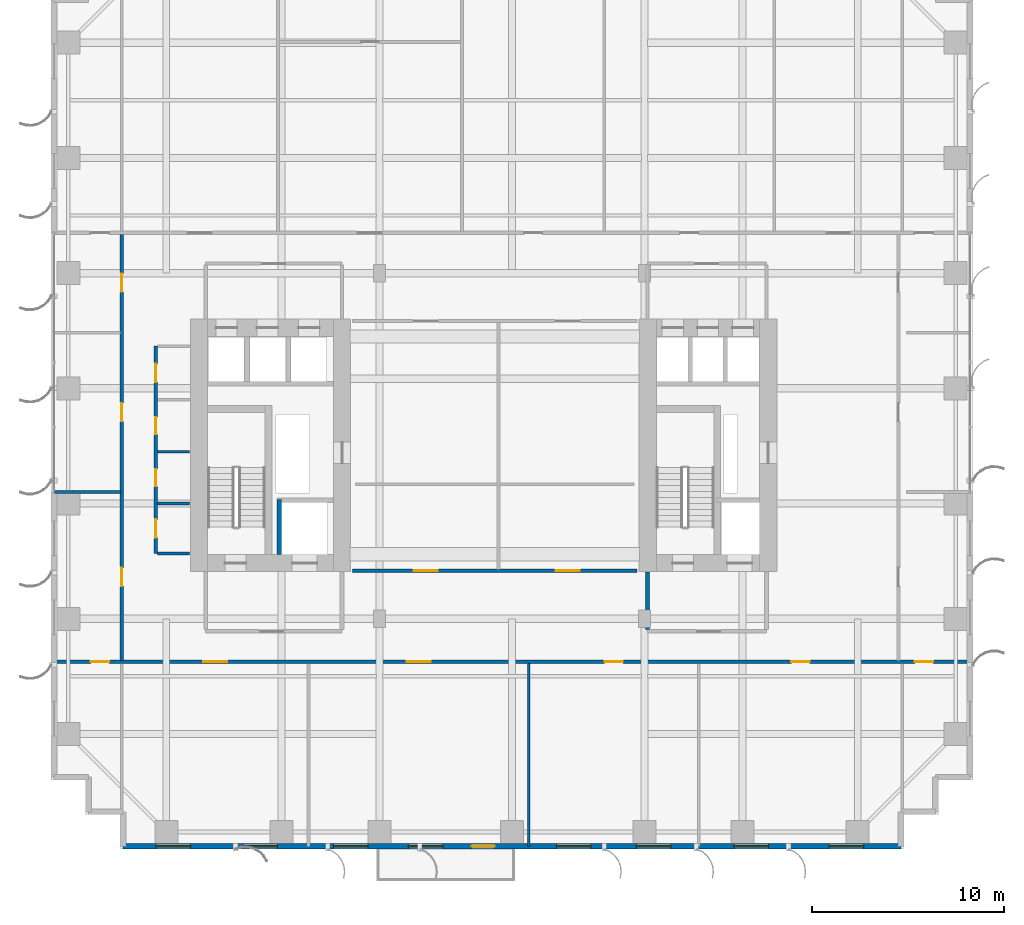
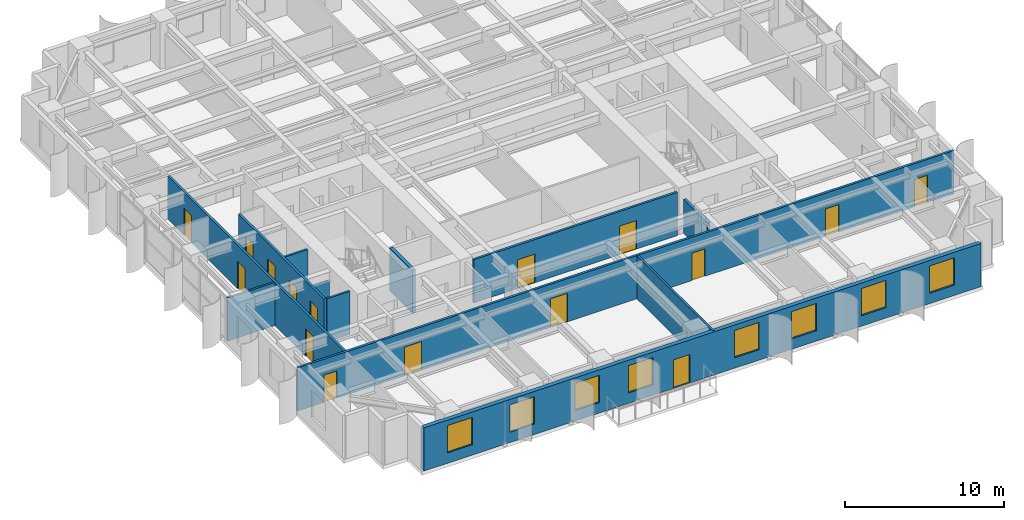
# One storey, part 9 of 16: 16 doors, 12 walls, 8 windows, 24 openings.
"""IFC4 building model written with IfcOpenShell, lengths in metres."""

from ifc_helpers import new_model, si_unit, direction, frame, frame_2d, origin, place, context, subcontext, project, spatial, rectangle, extrude, source, transform, mapped, material, layer, layer_set, type_object, element, fill, save


model = new_model("IFC4")

# Units and contexts
model_context = context("Model", 3, precision=1e-05, world=origin(), true_north=direction((0.0, 1.0)))
body_context = subcontext(model_context, "Body", "Model", "MODEL_VIEW")
ifc_project = project(units=[si_unit("LENGTHUNIT", "METRE"), si_unit("AREAUNIT", "SQUARE_METRE"), si_unit("VOLUMEUNIT", "CUBIC_METRE"), si_unit("PLANEANGLEUNIT", "RADIAN"), si_unit("MASSUNIT", "GRAM", prefix="KILO")], contexts=[model_context])

# Site, building, storey
site_placement = place(None, origin())
site = spatial("IfcSite", under=ifc_project, at=site_placement, CompositionType="ELEMENT")
building_placement = place(site_placement, origin())
building = spatial("IfcBuilding", under=site, at=building_placement, Name="Khoralis Quay Care Tower", CompositionType="ELEMENT")
storey_placement = place(building_placement, frame((0.0, 0.0, 29.699951171875)))
storey = spatial("IfcBuildingStorey", under=building, at=storey_placement, Name="L07", CompositionType="ELEMENT", Elevation=29.699951171875)

# Wall
ifc_material_1 = material(Name="Gypsum plasterboard on acoustic metal stud")
ifc_layer_1 = layer(ifc_material_1, 0.199951171875)
ifc_layer_set_1 = layer_set([ifc_layer_1], Name="Gypsum plasterboard on acoustic metal stud")
wall_type_1 = type_object("IfcWallType", Name="WL-COMP-200", PredefinedType="PARTITIONING", material=ifc_layer_set_1)
wall_1_placement = place(storey_placement, frame((31.050048828125, 11.445068359375, 0.0), z_axis=(0.0, 0.0, 1.0), x_axis=(0.0, 1.0, 0.0)))
element("IfcWall", 1, at=wall_1_placement, inside=storey, type_object=wall_type_1, Name="L07 East Firefighting Lobby West Wall", PredefinedType="PARTITIONING", context=body_context, shape_type="SweptSolid", body=[
    extrude(rectangle(XDim=2.98486328125, YDim=0.199951171875, at=frame_2d((1.492431640625, 0.0))), origin(), (0.0, 0.0, 1.0), 2.625),
])

# Wall, openings, doors
ifc_layer_2 = layer(ifc_material_1, 0.1650390625)
ifc_layer_set_2 = layer_set([ifc_layer_2], Name="Gypsum plasterboard on acoustic metal stud")
wall_type_2 = type_object("IfcWallType", Name="WL-CORR-165", PredefinedType="PARTITIONING", material=ifc_layer_set_2)
wall_2_placement = place(storey_placement, frame((5.449951171875, 15.39990234375, 0.0), z_axis=(0.0, 0.0, 1.0), x_axis=(0.0, 1.0, 0.0)))
wall_2 = element("IfcWall", 2, at=wall_2_placement, inside=storey, type_object=wall_type_2, Name="L07 West Core Service Flank Wall", PredefinedType="PARTITIONING", context=body_context, shape_type="SweptSolid", body=[
    extrude(rectangle(XDim=10.800048828125, YDim=0.1650390625, at=frame_2d((5.39990234375, 0.0))), origin(), (0.0, 0.0, 1.0), 3.320068359375),
])
opening_1_placement = place(wall_2_placement, frame((0.824951171875, 0.0, 0.0)))
opening_1 = element("IfcOpeningElement", 3, at=opening_1_placement, cuts=wall_2, Name="Opening ID1", PredefinedType="OPENING", context=body_context, shape_type="SweptSolid", body=[
    extrude(rectangle(XDim=0.949951171875, YDim=2.10009765625, at=frame_2d((0.47509765625, 1.050048828125))), frame((0.0, 0.092529296875, 0.0), z_axis=(0.0, -1.0, 0.0), x_axis=(1.0, 0.0, 0.0)), (0.0, 0.0, 1.0), 0.18505859375),
])
opening_2_placement = place(wall_2_placement, frame((3.5, 0.0, 0.0)))
opening_2 = element("IfcOpeningElement", 4, at=opening_2_placement, cuts=wall_2, Name="Opening WD1", PredefinedType="OPENING", context=body_context, shape_type="SweptSolid", body=[
    extrude(rectangle(XDim=0.89990234375, YDim=2.10009765625, at=frame_2d((0.449951171875, 1.050048828125))), frame((0.0, 0.092529296875, 0.0), z_axis=(0.0, -1.0, 0.0), x_axis=(1.0, 0.0, 0.0)), (0.0, 0.0, 1.0), 0.18505859375),
])
opening_3_placement = place(wall_2_placement, frame((6.199951171875, 0.0, 0.0)))
opening_3 = element("IfcOpeningElement", 5, at=opening_3_placement, cuts=wall_2, Name="Opening WD1", PredefinedType="OPENING", context=body_context, shape_type="SweptSolid", body=[
    extrude(rectangle(XDim=0.89990234375, YDim=2.10009765625, at=frame_2d((0.449951171875, 1.050048828125))), frame((0.0, 0.092529296875, 0.0), z_axis=(0.0, -1.0, 0.0), x_axis=(1.0, 0.0, 0.0)), (0.0, 0.0, 1.0), 0.18505859375),
])
opening_4_placement = place(wall_2_placement, frame((8.925048828125, 0.0, 0.0)))
opening_4 = element("IfcOpeningElement", 6, at=opening_4_placement, cuts=wall_2, Name="Opening ID1", PredefinedType="OPENING", context=body_context, shape_type="SweptSolid", body=[
    extrude(rectangle(XDim=0.949951171875, YDim=2.10009765625, at=frame_2d((0.47509765625, 1.050048828125))), frame((0.0, 0.092529296875, 0.0), z_axis=(0.0, -1.0, 0.0), x_axis=(1.0, 0.0, 0.0)), (0.0, 0.0, 1.0), 0.18505859375),
])
ifc_material_2 = material(Name="Acoustic hardwood timber", Category="wood")
door_type_1 = type_object("IfcDoorType", Name="DR-BATH-900X2100", OperationType="NOTDEFINED", PredefinedType="DOOR", material=ifc_material_2)
shared_shape_1 = source(origin(), body_context, "Body", "SweptSolid", [
    extrude(rectangle(XDim=0.89990234375, YDim=2.10009765625, at=frame_2d((0.449951171875, 1.050048828125))), frame((0.0, 0.02490234375, 0.0), z_axis=(0.0, -1.0, 0.0), x_axis=(1.0, 0.0, 0.0)), (0.0, 0.0, 1.0), 0.050048828125),
])
door_1_placement = place(opening_2_placement, frame((0.89990234375, 0.0, 0.0), z_axis=(0.0, 0.0, 1.0), x_axis=(-1.0, 0.0, 0.0)))
door_1 = element("IfcDoor", 7, at=door_1_placement, inside=storey, type_object=door_type_1, Name="L07 Public Accessible WC Door", OperationType="SINGLE_SWING_LEFT", OverallHeight=2.10009765625, OverallWidth=0.89990234375, PredefinedType="DOOR", context=body_context, shape_type="MappedRepresentation", body=[
    mapped(shared_shape_1, transform((0.0, 0.0, 0.0), scale=1.0)),
])
fill(opening_2, door_1)
door_2_placement = place(opening_3_placement, frame((0.89990234375, 0.0, 0.0), z_axis=(0.0, 0.0, 1.0), x_axis=(-1.0, 0.0, 0.0)))
door_2 = element("IfcDoor", 8, at=door_2_placement, inside=storey, type_object=door_type_1, Name="L07 Staff Accessible WC Door", OperationType="SINGLE_SWING_RIGHT", OverallHeight=2.10009765625, OverallWidth=0.89990234375, PredefinedType="DOOR", context=body_context, shape_type="MappedRepresentation", body=[
    mapped(shared_shape_1, transform((0.0, 0.0, 0.0), scale=1.0)),
])
fill(opening_3, door_2)
door_type_2 = type_object("IfcDoorType", Name="DR-ROOM-950X2100", OperationType="NOTDEFINED", PredefinedType="DOOR", material=ifc_material_2)
shared_shape_2 = source(origin(), body_context, "Body", "SweptSolid", [
    extrude(rectangle(XDim=0.949951171875, YDim=2.10009765625, at=frame_2d((0.47509765625, 1.050048828125))), frame((0.0, 0.02490234375, 0.0), z_axis=(0.0, -1.0, 0.0), x_axis=(1.0, 0.0, 0.0)), (0.0, 0.0, 1.0), 0.050048828125),
])
door_3_placement = place(opening_1_placement, frame((0.949951171875, 0.0, 0.0), z_axis=(0.0, 0.0, 1.0), x_axis=(-1.0, 0.0, 0.0)))
door_3 = element("IfcDoor", 9, at=door_3_placement, inside=storey, type_object=door_type_2, Name="L07 Housekeeping Store Door", OperationType="SINGLE_SWING_RIGHT", OverallHeight=2.10009765625, OverallWidth=0.949951171875, PredefinedType="DOOR", context=body_context, shape_type="MappedRepresentation", body=[
    mapped(shared_shape_2, transform((0.0, 0.0, 0.0), scale=1.0)),
])
fill(opening_1, door_3)
door_4_placement = place(opening_4_placement, frame((0.949951171875, 0.0, 0.0), z_axis=(0.0, 0.0, 1.0), x_axis=(-1.0, 0.0, 0.0)))
door_4 = element("IfcDoor", 10, at=door_4_placement, inside=storey, type_object=door_type_2, Name="L07 Telecom IDF Room Door", OperationType="SINGLE_SWING_LEFT", OverallHeight=2.10009765625, OverallWidth=0.949951171875, PredefinedType="DOOR", context=body_context, shape_type="MappedRepresentation", body=[
    mapped(shared_shape_2, transform((0.0, 0.0, 0.0), scale=1.0)),
])
fill(opening_4, door_4)

wall_3_placement = place(storey_placement, frame((0.14501953125, 9.760009765625, 0.0), z_axis=(0.0, 0.0, 1.0), x_axis=(1.0, 0.0, 0.0)))
wall_3 = element("IfcWall", 11, at=wall_3_placement, inside=storey, type_object=wall_type_2, Name="L07 South Main Corridor Wall", PredefinedType="PARTITIONING", context=body_context, shape_type="SweptSolid", body=[
    extrude(rectangle(XDim=47.7099609375, YDim=0.1650390625, at=frame_2d((23.85498046875, 0.0))), origin(), (0.0, 0.0, 1.0), 3.320068359375),
])
opening_5_placement = place(wall_3_placement, frame((7.77001953125, 0.0, 0.0)))
opening_5 = element("IfcOpeningElement", 12, at=opening_5_placement, cuts=wall_3, Name="Opening CD1", PredefinedType="OPENING", context=body_context, shape_type="SweptSolid", body=[
    extrude(rectangle(XDim=1.25, YDim=2.199951171875, at=frame_2d((0.625, 1.10009765625))), frame((0.0, 0.092529296875, 0.0), z_axis=(0.0, -1.0, 0.0), x_axis=(1.0, 0.0, 0.0)), (0.0, 0.0, 1.0), 0.18505859375),
])
opening_6_placement = place(wall_3_placement, frame((18.3701171875, 0.0, 0.0)))
opening_6 = element("IfcOpeningElement", 13, at=opening_6_placement, cuts=wall_3, Name="Opening CD1", PredefinedType="OPENING", context=body_context, shape_type="SweptSolid", body=[
    extrude(rectangle(XDim=1.25, YDim=2.199951171875, at=frame_2d((0.625, 1.10009765625))), frame((0.0, 0.092529296875, 0.0), z_axis=(0.0, -1.0, 0.0), x_axis=(1.0, 0.0, 0.0)), (0.0, 0.0, 1.0), 0.18505859375),
])
opening_7_placement = place(wall_3_placement, frame((28.679931640625, 0.0, 0.0)))
opening_7 = element("IfcOpeningElement", 14, at=opening_7_placement, cuts=wall_3, Name="Opening ID1", PredefinedType="OPENING", context=body_context, shape_type="SweptSolid", body=[
    extrude(rectangle(XDim=0.949951171875, YDim=2.10009765625, at=frame_2d((0.47509765625, 1.050048828125))), frame((0.0, 0.092529296875, 0.0), z_axis=(0.0, -1.0, 0.0), x_axis=(1.0, 0.0, 0.0)), (0.0, 0.0, 1.0), 0.18505859375),
])
opening_8_placement = place(wall_3_placement, frame((38.39990234375, 0.0, 0.0)))
opening_8 = element("IfcOpeningElement", 15, at=opening_8_placement, cuts=wall_3, Name="Opening ID1", PredefinedType="OPENING", context=body_context, shape_type="SweptSolid", body=[
    extrude(rectangle(XDim=0.949951171875, YDim=2.10009765625, at=frame_2d((0.47509765625, 1.050048828125))), frame((0.0, 0.092529296875, 0.0), z_axis=(0.0, -1.0, 0.0), x_axis=(1.0, 0.0, 0.0)), (0.0, 0.0, 1.0), 0.18505859375),
])
opening_9_placement = place(wall_3_placement, frame((1.919921875, 0.0, 0.0)))
opening_9 = element("IfcOpeningElement", 16, at=opening_9_placement, cuts=wall_3, Name="Opening ID1", PredefinedType="OPENING", context=body_context, shape_type="SweptSolid", body=[
    extrude(rectangle(XDim=0.949951171875, YDim=2.10009765625, at=frame_2d((0.47509765625, 1.050048828125))), frame((0.0, 0.092529296875, 0.0), z_axis=(0.0, -1.0, 0.0), x_axis=(1.0, 0.0, 0.0)), (0.0, 0.0, 1.0), 0.18505859375),
])
opening_10_placement = place(wall_3_placement, frame((44.840087890625, 0.0, 0.0)))
opening_10 = element("IfcOpeningElement", 17, at=opening_10_placement, cuts=wall_3, Name="Opening ID1", PredefinedType="OPENING", context=body_context, shape_type="SweptSolid", body=[
    extrude(rectangle(XDim=0.949951171875, YDim=2.10009765625, at=frame_2d((0.47509765625, 1.050048828125))), frame((0.0, 0.092529296875, 0.0), z_axis=(0.0, -1.0, 0.0), x_axis=(1.0, 0.0, 0.0)), (0.0, 0.0, 1.0), 0.18505859375),
])
door_type_3 = type_object("IfcDoorType", Name="DR-CARE-1250X2200", OperationType="NOTDEFINED", PredefinedType="DOOR", material=ifc_material_2)
shared_shape_3 = source(origin(), body_context, "Body", "SweptSolid", [
    extrude(rectangle(XDim=1.25, YDim=2.199951171875, at=frame_2d((0.625, 1.10009765625))), frame((0.0, 0.02490234375, 0.0), z_axis=(0.0, -1.0, 0.0), x_axis=(1.0, 0.0, 0.0)), (0.0, 0.0, 1.0), 0.050048828125),
])
door_5_placement = place(opening_5_placement, frame((1.25, 0.0, 0.0), z_axis=(0.0, 0.0, 1.0), x_axis=(-1.0, 0.0, 0.0)))
door_5 = element("IfcDoor", 18, at=door_5_placement, inside=storey, type_object=door_type_3, Name="L07 Geriatric Consultation Clinic Door", OperationType="SINGLE_SWING_LEFT", OverallHeight=2.199951171875, OverallWidth=1.25, PredefinedType="DOOR", context=body_context, shape_type="MappedRepresentation", body=[
    mapped(shared_shape_3, transform((0.0, 0.0, 0.0), scale=1.0)),
])
fill(opening_5, door_5)
door_6_placement = place(opening_6_placement, frame((1.25, 0.0, 0.0), z_axis=(0.0, 0.0, 1.0), x_axis=(-1.0, 0.0, 0.0)))
door_6 = element("IfcDoor", 19, at=door_6_placement, inside=storey, type_object=door_type_3, Name="L07 Physiotherapy Treatment Clinic Door", OperationType="SINGLE_SWING_RIGHT", OverallHeight=2.199951171875, OverallWidth=1.25, PredefinedType="DOOR", context=body_context, shape_type="MappedRepresentation", body=[
    mapped(shared_shape_3, transform((0.0, 0.0, 0.0), scale=1.0)),
])
fill(opening_6, door_6)
door_7_placement = place(opening_7_placement, frame((0.949951171875, 0.0, 0.0), z_axis=(0.0, 0.0, 1.0), x_axis=(-1.0, 0.0, 0.0)))
door_7 = element("IfcDoor", 20, at=door_7_placement, inside=storey, type_object=door_type_2, Name="L07 Care Coordination Office Door", OperationType="SINGLE_SWING_RIGHT", OverallHeight=2.10009765625, OverallWidth=0.949951171875, PredefinedType="DOOR", context=body_context, shape_type="MappedRepresentation", body=[
    mapped(shared_shape_2, transform((0.0, 0.0, 0.0), scale=1.0)),
])
fill(opening_7, door_7)
door_8_placement = place(opening_8_placement, frame((0.949951171875, 0.0, 0.0), z_axis=(0.0, 0.0, 1.0), x_axis=(-1.0, 0.0, 0.0)))
door_8 = element("IfcDoor", 21, at=door_8_placement, inside=storey, type_object=door_type_2, Name="L07 Family Case Conference Room Door", OperationType="SINGLE_SWING_LEFT", OverallHeight=2.10009765625, OverallWidth=0.949951171875, PredefinedType="DOOR", context=body_context, shape_type="MappedRepresentation", body=[
    mapped(shared_shape_2, transform((0.0, 0.0, 0.0), scale=1.0)),
])
fill(opening_8, door_8)
door_9_placement = place(opening_9_placement, frame((0.949951171875, 0.0, 0.0), z_axis=(0.0, 0.0, 1.0), x_axis=(-1.0, 0.0, 0.0)))
door_9 = element("IfcDoor", 22, at=door_9_placement, inside=storey, type_object=door_type_2, Name="L07 SW Corner Door", OperationType="SINGLE_SWING_LEFT", OverallHeight=2.10009765625, OverallWidth=0.949951171875, PredefinedType="DOOR", context=body_context, shape_type="MappedRepresentation", body=[
    mapped(shared_shape_2, transform((0.0, 0.0, 0.0), scale=1.0)),
])
fill(opening_9, door_9)
door_10_placement = place(opening_10_placement, frame((0.949951171875, 0.0, 0.0), z_axis=(0.0, 0.0, 1.0), x_axis=(-1.0, 0.0, 0.0)))
door_10 = element("IfcDoor", 23, at=door_10_placement, inside=storey, type_object=door_type_2, Name="L07 SE Corner Door", OperationType="SINGLE_SWING_RIGHT", OverallHeight=2.10009765625, OverallWidth=0.949951171875, PredefinedType="DOOR", context=body_context, shape_type="MappedRepresentation", body=[
    mapped(shared_shape_2, transform((0.0, 0.0, 0.0), scale=1.0)),
])
fill(opening_10, door_10)

wall_4_placement = place(storey_placement, frame((3.679931640625, 9.83740234375, 0.0), z_axis=(0.0, 0.0, 1.0), x_axis=(0.0, 1.0, 0.0)))
wall_4 = element("IfcWall", 24, at=wall_4_placement, inside=storey, type_object=wall_type_2, Name="L07 West Loop Corridor Wall", PredefinedType="PARTITIONING", context=body_context, shape_type="SweptSolid", body=[
    extrude(rectangle(XDim=22.18505859375, YDim=0.1650390625, at=frame_2d((11.092529296875, 0.0))), origin(), (0.0, 0.0, 1.0), 3.320068359375),
])
opening_11_placement = place(wall_4_placement, frame((3.867431640625, 0.0, 0.0)))
opening_11 = element("IfcOpeningElement", 25, at=opening_11_placement, cuts=wall_4, Name="Opening ID1", PredefinedType="OPENING", context=body_context, shape_type="SweptSolid", body=[
    extrude(rectangle(XDim=0.949951171875, YDim=2.10009765625, at=frame_2d((0.47509765625, 1.050048828125))), frame((0.0, 0.092529296875, 0.0), z_axis=(0.0, -1.0, 0.0), x_axis=(1.0, 0.0, 0.0)), (0.0, 0.0, 1.0), 0.18505859375),
])
opening_12_placement = place(wall_4_placement, frame((12.4375, 0.0, 0.0)))
opening_12 = element("IfcOpeningElement", 26, at=opening_12_placement, cuts=wall_4, Name="Opening ID1", PredefinedType="OPENING", context=body_context, shape_type="SweptSolid", body=[
    extrude(rectangle(XDim=0.949951171875, YDim=2.10009765625, at=frame_2d((0.47509765625, 1.050048828125))), frame((0.0, 0.092529296875, 0.0), z_axis=(0.0, -1.0, 0.0), x_axis=(1.0, 0.0, 0.0)), (0.0, 0.0, 1.0), 0.18505859375),
])
opening_13_placement = place(wall_4_placement, frame((19.1875, 0.0, 0.0)))
opening_13 = element("IfcOpeningElement", 27, at=opening_13_placement, cuts=wall_4, Name="Opening ID1", PredefinedType="OPENING", context=body_context, shape_type="SweptSolid", body=[
    extrude(rectangle(XDim=0.949951171875, YDim=2.10009765625, at=frame_2d((0.47509765625, 1.050048828125))), frame((0.0, 0.092529296875, 0.0), z_axis=(0.0, -1.0, 0.0), x_axis=(1.0, 0.0, 0.0)), (0.0, 0.0, 1.0), 0.18505859375),
])
door_11_placement = place(opening_11_placement, origin())
door_11 = element("IfcDoor", 28, at=door_11_placement, inside=storey, type_object=door_type_2, Name="L07 Therapy Consultation Room Door", OperationType="SINGLE_SWING_LEFT", OverallHeight=2.10009765625, OverallWidth=0.949951171875, PredefinedType="DOOR", context=body_context, shape_type="MappedRepresentation", body=[
    mapped(shared_shape_2, transform((0.0, 0.0, 0.0), scale=1.0)),
])
fill(opening_11, door_11)
door_12_placement = place(opening_12_placement, origin())
door_12 = element("IfcDoor", 29, at=door_12_placement, inside=storey, type_object=door_type_2, Name="L07 Assisted Activity Lounge Door", OperationType="SINGLE_SWING_RIGHT", OverallHeight=2.10009765625, OverallWidth=0.949951171875, PredefinedType="DOOR", context=body_context, shape_type="MappedRepresentation", body=[
    mapped(shared_shape_2, transform((0.0, 0.0, 0.0), scale=1.0)),
])
fill(opening_12, door_12)
door_13_placement = place(opening_13_placement, origin())
door_13 = element("IfcDoor", 30, at=door_13_placement, inside=storey, type_object=door_type_2, Name="L07 Nurse Charting Office Door", OperationType="SINGLE_SWING_LEFT", OverallHeight=2.10009765625, OverallWidth=0.949951171875, PredefinedType="DOOR", context=body_context, shape_type="MappedRepresentation", body=[
    mapped(shared_shape_2, transform((0.0, 0.0, 0.0), scale=1.0)),
])
fill(opening_13, door_13)

wall_5_placement = place(storey_placement, frame((15.699951171875, 14.5, 0.0), z_axis=(0.0, 0.0, 1.0), x_axis=(1.0, 0.0, 0.0)))
wall_5 = element("IfcWall", 31, at=wall_5_placement, inside=storey, type_object=wall_type_2, Name="L07 Central Clinical South Wall", PredefinedType="PARTITIONING", context=body_context, shape_type="SweptSolid", body=[
    extrude(rectangle(XDim=14.800048828125, YDim=0.1650390625, at=frame_2d((7.39990234375, 0.0))), origin(), (0.0, 0.0, 1.0), 3.320068359375),
])
opening_14_placement = place(wall_5_placement, frame((3.175048828125, 0.0, 0.0)))
opening_14 = element("IfcOpeningElement", 32, at=opening_14_placement, cuts=wall_5, Name="Opening CD1", PredefinedType="OPENING", context=body_context, shape_type="SweptSolid", body=[
    extrude(rectangle(XDim=1.25, YDim=2.199951171875, at=frame_2d((0.625, 1.10009765625))), frame((0.0, 0.092529296875, 0.0), z_axis=(0.0, -1.0, 0.0), x_axis=(1.0, 0.0, 0.0)), (0.0, 0.0, 1.0), 0.18505859375),
])
opening_15_placement = place(wall_5_placement, frame((10.574951171875, 0.0, 0.0)))
opening_15 = element("IfcOpeningElement", 33, at=opening_15_placement, cuts=wall_5, Name="Opening CD1", PredefinedType="OPENING", context=body_context, shape_type="SweptSolid", body=[
    extrude(rectangle(XDim=1.25, YDim=2.199951171875, at=frame_2d((0.625, 1.10009765625))), frame((0.0, 0.092529296875, 0.0), z_axis=(0.0, -1.0, 0.0), x_axis=(1.0, 0.0, 0.0)), (0.0, 0.0, 1.0), 0.18505859375),
])
door_14_placement = place(opening_14_placement, origin())
door_14 = element("IfcDoor", 34, at=door_14_placement, inside=storey, type_object=door_type_3, Name="L07 Nurse Station Door", OperationType="SINGLE_SWING_LEFT", OverallHeight=2.199951171875, OverallWidth=1.25, PredefinedType="DOOR", context=body_context, shape_type="MappedRepresentation", body=[
    mapped(shared_shape_3, transform((0.0, 0.0, 0.0), scale=1.0)),
])
fill(opening_14, door_14)
door_15_placement = place(opening_15_placement, origin())
door_15 = element("IfcDoor", 35, at=door_15_placement, inside=storey, type_object=door_type_3, Name="L07 Treatment Clinic Door", OperationType="SINGLE_SWING_RIGHT", OverallHeight=2.199951171875, OverallWidth=1.25, PredefinedType="DOOR", context=body_context, shape_type="MappedRepresentation", body=[
    mapped(shared_shape_3, transform((0.0, 0.0, 0.0), scale=1.0)),
])
fill(opening_15, door_15)

# Wall, openings, windows, door
ifc_material_3 = material(Name="Precast concrete C45/55", Category="concrete")
ifc_layer_3 = layer(ifc_material_3, 0.300048828125)
ifc_layer_set_3 = layer_set([ifc_layer_3], Name="Precast concrete C45/55")
wall_type_3 = type_object("IfcWallType", Name="WL-EXT-REF-300", PredefinedType="SOLIDWALL", material=ifc_layer_set_3)
wall_6_placement = place(storey_placement, frame((3.75, 0.14990234375, 0.0), z_axis=(0.0, 0.0, 1.0), x_axis=(1.0, 0.0, 0.0)))
wall_6 = element("IfcWall", 36, at=wall_6_placement, inside=storey, type_object=wall_type_3, Name="L07 External Facade Wall WL-EXT-L07-P1-E0", PredefinedType="SOLIDWALL", context=body_context, shape_type="SweptSolid", body=[
    extrude(rectangle(XDim=40.5, YDim=0.300048828125, at=frame_2d((20.25, 0.0))), origin(), (0.0, 0.0, 1.0), 3.320068359375),
])
opening_16_placement = place(wall_6_placement, frame((1.717529296875, 0.0, 0.800048828125)))
opening_16 = element("IfcOpeningElement", 37, at=opening_16_placement, cuts=wall_6, Name="Opening W2", PredefinedType="OPENING", context=body_context, shape_type="SweptSolid", body=[
    extrude(rectangle(XDim=1.800048828125, YDim=2.10009765625, at=frame_2d((0.89990234375, 1.050048828125))), frame((0.0, 0.16015625, 0.0), z_axis=(0.0, -1.0, 0.0), x_axis=(1.0, 0.0, 0.0)), (0.0, 0.0, 1.0), 0.320068359375),
])
opening_17_placement = place(wall_6_placement, frame((6.232421875, 0.0, 0.800048828125)))
opening_17 = element("IfcOpeningElement", 38, at=opening_17_placement, cuts=wall_6, Name="Opening W2", PredefinedType="OPENING", context=body_context, shape_type="SweptSolid", body=[
    extrude(rectangle(XDim=1.800048828125, YDim=2.10009765625, at=frame_2d((0.89990234375, 1.050048828125))), frame((0.0, 0.16015625, 0.0), z_axis=(0.0, -1.0, 0.0), x_axis=(1.0, 0.0, 0.0)), (0.0, 0.0, 1.0), 0.320068359375),
])
opening_18_placement = place(wall_6_placement, frame((10.95751953125, 0.0, 0.800048828125)))
opening_18 = element("IfcOpeningElement", 39, at=opening_18_placement, cuts=wall_6, Name="Opening W2", PredefinedType="OPENING", context=body_context, shape_type="SweptSolid", body=[
    extrude(rectangle(XDim=1.800048828125, YDim=2.10009765625, at=frame_2d((0.89990234375, 1.050048828125))), frame((0.0, 0.16015625, 0.0), z_axis=(0.0, -1.0, 0.0), x_axis=(1.0, 0.0, 0.0)), (0.0, 0.0, 1.0), 0.320068359375),
])
opening_19_placement = place(wall_6_placement, frame((14.8525390625, 0.0, 0.800048828125)))
opening_19 = element("IfcOpeningElement", 40, at=opening_19_placement, cuts=wall_6, Name="Opening W2", PredefinedType="OPENING", context=body_context, shape_type="SweptSolid", body=[
    extrude(rectangle(XDim=1.800048828125, YDim=2.10009765625, at=frame_2d((0.89990234375, 1.050048828125))), frame((0.0, 0.16015625, 0.0), z_axis=(0.0, -1.0, 0.0), x_axis=(1.0, 0.0, 0.0)), (0.0, 0.0, 1.0), 0.320068359375),
])
opening_20_placement = place(wall_6_placement, frame((22.570068359375, 0.0, 0.800048828125)))
opening_20 = element("IfcOpeningElement", 41, at=opening_20_placement, cuts=wall_6, Name="Opening W2", PredefinedType="OPENING", context=body_context, shape_type="SweptSolid", body=[
    extrude(rectangle(XDim=1.800048828125, YDim=2.10009765625, at=frame_2d((0.89990234375, 1.050048828125))), frame((0.0, 0.16015625, 0.0), z_axis=(0.0, -1.0, 0.0), x_axis=(1.0, 0.0, 0.0)), (0.0, 0.0, 1.0), 0.320068359375),
])
opening_21_placement = place(wall_6_placement, frame((26.72998046875, 0.0, 0.800048828125)))
opening_21 = element("IfcOpeningElement", 42, at=opening_21_placement, cuts=wall_6, Name="Opening W2", PredefinedType="OPENING", context=body_context, shape_type="SweptSolid", body=[
    extrude(rectangle(XDim=1.800048828125, YDim=2.10009765625, at=frame_2d((0.89990234375, 1.050048828125))), frame((0.0, 0.16015625, 0.0), z_axis=(0.0, -1.0, 0.0), x_axis=(1.0, 0.0, 0.0)), (0.0, 0.0, 1.0), 0.320068359375),
])
opening_22_placement = place(wall_6_placement, frame((31.8076171875, 0.0, 0.800048828125)))
opening_22 = element("IfcOpeningElement", 43, at=opening_22_placement, cuts=wall_6, Name="Opening W2", PredefinedType="OPENING", context=body_context, shape_type="SweptSolid", body=[
    extrude(rectangle(XDim=1.800048828125, YDim=2.10009765625, at=frame_2d((0.89990234375, 1.050048828125))), frame((0.0, 0.16015625, 0.0), z_axis=(0.0, -1.0, 0.0), x_axis=(1.0, 0.0, 0.0)), (0.0, 0.0, 1.0), 0.320068359375),
])
opening_23_placement = place(wall_6_placement, frame((36.762451171875, 0.0, 0.800048828125)))
opening_23 = element("IfcOpeningElement", 44, at=opening_23_placement, cuts=wall_6, Name="Opening W2", PredefinedType="OPENING", context=body_context, shape_type="SweptSolid", body=[
    extrude(rectangle(XDim=1.800048828125, YDim=2.10009765625, at=frame_2d((0.89990234375, 1.050048828125))), frame((0.0, 0.16015625, 0.0), z_axis=(0.0, -1.0, 0.0), x_axis=(1.0, 0.0, 0.0)), (0.0, 0.0, 1.0), 0.320068359375),
])
opening_24_placement = place(wall_6_placement, frame((18.14990234375, 0.0, 0.0)))
opening_24 = element("IfcOpeningElement", 45, at=opening_24_placement, cuts=wall_6, Name="Opening BD1", PredefinedType="OPENING", context=body_context, shape_type="SweptSolid", body=[
    extrude(rectangle(XDim=1.199951171875, YDim=2.199951171875, at=frame_2d((0.60009765625, 1.10009765625))), frame((0.0, 0.16015625, 0.0), z_axis=(0.0, -1.0, 0.0), x_axis=(1.0, 0.0, 0.0)), (0.0, 0.0, 1.0), 0.320068359375),
])
ifc_material_4 = material(Name="Low-E solar-control double glazing", Category="glass")
window_type = type_object("IfcWindowType", Name="WN-POD-1800X2100", PartitioningType="SINGLE_PANEL", PredefinedType="WINDOW", material=ifc_material_4)
shared_shape_4 = source(origin(), body_context, "Body", "SweptSolid", [
    extrude(rectangle(XDim=1.800048828125, YDim=2.10009765625, at=frame_2d((0.89990234375, 1.050048828125))), frame((0.0, 0.030029296875, 0.0), z_axis=(0.0, -1.0, 0.0), x_axis=(1.0, 0.0, 0.0)), (0.0, 0.0, 1.0), 0.06005859375),
])
window_1_placement = place(opening_16_placement, origin())
window_1 = element("IfcWindow", 46, at=window_1_placement, inside=storey, type_object=window_type, Name="WN-L07-P1-E0 Facade Window 01", OverallHeight=2.10009765625, OverallWidth=1.800048828125, PartitioningType="SINGLE_PANEL", PredefinedType="WINDOW", context=body_context, shape_type="MappedRepresentation", body=[
    mapped(shared_shape_4, transform((0.0, 0.0, 0.0), scale=1.0)),
])
fill(opening_16, window_1)
window_2_placement = place(opening_17_placement, origin())
window_2 = element("IfcWindow", 47, at=window_2_placement, inside=storey, type_object=window_type, Name="WN-L07-P1-E0 Facade Window 02", OverallHeight=2.10009765625, OverallWidth=1.800048828125, PartitioningType="SINGLE_PANEL", PredefinedType="WINDOW", context=body_context, shape_type="MappedRepresentation", body=[
    mapped(shared_shape_4, transform((0.0, 0.0, 0.0), scale=1.0)),
])
fill(opening_17, window_2)
window_3_placement = place(opening_18_placement, origin())
window_3 = element("IfcWindow", 48, at=window_3_placement, inside=storey, type_object=window_type, Name="WN-L07-P1-E0 Facade Window 03", OverallHeight=2.10009765625, OverallWidth=1.800048828125, PartitioningType="SINGLE_PANEL", PredefinedType="WINDOW", context=body_context, shape_type="MappedRepresentation", body=[
    mapped(shared_shape_4, transform((0.0, 0.0, 0.0), scale=1.0)),
])
fill(opening_18, window_3)
window_4_placement = place(opening_19_placement, origin())
window_4 = element("IfcWindow", 49, at=window_4_placement, inside=storey, type_object=window_type, Name="WN-L07-P1-E0 Facade Window 04", OverallHeight=2.10009765625, OverallWidth=1.800048828125, PartitioningType="SINGLE_PANEL", PredefinedType="WINDOW", context=body_context, shape_type="MappedRepresentation", body=[
    mapped(shared_shape_4, transform((0.0, 0.0, 0.0), scale=1.0)),
])
fill(opening_19, window_4)
window_5_placement = place(opening_20_placement, origin())
window_5 = element("IfcWindow", 50, at=window_5_placement, inside=storey, type_object=window_type, Name="WN-L07-P1-E0 Facade Window 05", OverallHeight=2.10009765625, OverallWidth=1.800048828125, PartitioningType="SINGLE_PANEL", PredefinedType="WINDOW", context=body_context, shape_type="MappedRepresentation", body=[
    mapped(shared_shape_4, transform((0.0, 0.0, 0.0), scale=1.0)),
])
fill(opening_20, window_5)
window_6_placement = place(opening_21_placement, origin())
window_6 = element("IfcWindow", 51, at=window_6_placement, inside=storey, type_object=window_type, Name="WN-L07-P1-E0 Facade Window 06", OverallHeight=2.10009765625, OverallWidth=1.800048828125, PartitioningType="SINGLE_PANEL", PredefinedType="WINDOW", context=body_context, shape_type="MappedRepresentation", body=[
    mapped(shared_shape_4, transform((0.0, 0.0, 0.0), scale=1.0)),
])
fill(opening_21, window_6)
window_7_placement = place(opening_22_placement, origin())
window_7 = element("IfcWindow", 52, at=window_7_placement, inside=storey, type_object=window_type, Name="WN-L07-P1-E0 Facade Window 07", OverallHeight=2.10009765625, OverallWidth=1.800048828125, PartitioningType="SINGLE_PANEL", PredefinedType="WINDOW", context=body_context, shape_type="MappedRepresentation", body=[
    mapped(shared_shape_4, transform((0.0, 0.0, 0.0), scale=1.0)),
])
fill(opening_22, window_7)
window_8_placement = place(opening_23_placement, origin())
window_8 = element("IfcWindow", 53, at=window_8_placement, inside=storey, type_object=window_type, Name="WN-L07-P1-E0 Facade Window 08", OverallHeight=2.10009765625, OverallWidth=1.800048828125, PartitioningType="SINGLE_PANEL", PredefinedType="WINDOW", context=body_context, shape_type="MappedRepresentation", body=[
    mapped(shared_shape_4, transform((0.0, 0.0, 0.0), scale=1.0)),
])
fill(opening_23, window_8)
ifc_material_5 = material(Name="Anodised aluminium and laminated safety glass", Category="aluminium")
door_type_4 = type_object("IfcDoorType", Name="DR-EXT-BALC-1200X2200", OperationType="NOTDEFINED", PredefinedType="DOOR", material=ifc_material_5)
shared_shape_5 = source(origin(), body_context, "Body", "SweptSolid", [
    extrude(rectangle(XDim=1.199951171875, YDim=2.199951171875, at=frame_2d((0.60009765625, 1.10009765625))), frame((0.0, 0.02490234375, 0.0), z_axis=(0.0, -1.0, 0.0), x_axis=(1.0, 0.0, 0.0)), (0.0, 0.0, 1.0), 0.050048828125),
])
door_16_placement = place(opening_24_placement, frame((1.199951171875, 0.0, 0.0), z_axis=(0.0, 0.0, 1.0), x_axis=(-1.0, 0.0, 0.0)))
door_16 = element("IfcDoor", 54, at=door_16_placement, inside=storey, type_object=door_type_4, Name="L07 Senior Loggia Balcony Door", OperationType="SINGLE_SWING_RIGHT", OverallHeight=2.199951171875, OverallWidth=1.199951171875, PredefinedType="DOOR", context=body_context, shape_type="MappedRepresentation", body=[
    mapped(shared_shape_5, transform((0.0, 0.0, 0.0), scale=1.0)),
])
fill(opening_24, door_16)

# Walls
ifc_material_6 = material(Name="Moisture-resistant gypsum and ceramic tile")
ifc_layer_4 = layer(ifc_material_6, 0.280029296875)
ifc_layer_set_4 = layer_set([ifc_layer_4], Name="Moisture-resistant gypsum and ceramic tile")
wall_type_4 = type_object("IfcWallType", Name="WL-PLUMB-280", PredefinedType="PLUMBINGWALL", material=ifc_layer_set_4)
wall_7_placement = place(storey_placement, frame((5.527587890625, 18.0, 0.0), z_axis=(0.0, 0.0, 1.0), x_axis=(1.0, 0.0, 0.0)))
element("IfcWall", 55, at=wall_7_placement, inside=storey, type_object=wall_type_4, Name="L07 West Flank Divider 1", PredefinedType="PLUMBINGWALL", context=body_context, shape_type="SweptSolid", body=[
    extrude(rectangle(XDim=1.682373046875, YDim=0.139892578125, at=frame_2d((0.84130859375, 0.0))), origin(), (0.0, 0.0, 1.0), 2.547119140625),
])
wall_8_placement = place(storey_placement, frame((5.527587890625, 20.699951171875, 0.0), z_axis=(0.0, 0.0, 1.0), x_axis=(1.0, 0.0, 0.0)))
element("IfcWall", 56, at=wall_8_placement, inside=storey, type_object=wall_type_4, Name="L07 West Flank Divider 2", PredefinedType="PLUMBINGWALL", context=body_context, shape_type="SweptSolid", body=[
    extrude(rectangle(XDim=1.682373046875, YDim=0.139892578125, at=frame_2d((0.84130859375, 0.0))), origin(), (0.0, 0.0, 1.0), 3.320068359375),
])
ifc_layer_5 = layer(ifc_material_1, 0.239990234375)
ifc_layer_set_5 = layer_set([ifc_layer_5], Name="Gypsum plasterboard on acoustic metal stud")
wall_type_5 = type_object("IfcWallType", Name="WL-SHAFT-240", PredefinedType="PARTITIONING", material=ifc_layer_set_5)
wall_9_placement = place(storey_placement, frame((11.8798828125, 15.35009765625, 0.0), z_axis=(0.0, 0.0, 1.0), x_axis=(0.0, 1.0, 0.0)))
element("IfcWall", 57, at=wall_9_placement, inside=storey, type_object=wall_type_5, Name="L07 FFL-1 Shaft Wall West", PredefinedType="PARTITIONING", context=body_context, shape_type="SweptSolid", body=[
    extrude(rectangle(XDim=2.849853515625, YDim=0.239990234375, at=frame_2d((1.4248046875, 0.0))), origin(), (0.0, 0.0, 1.0), 3.320068359375),
])
ifc_layer_6 = layer(ifc_material_1, 0.139892578125)
ifc_layer_set_6 = layer_set([ifc_layer_6], Name="Gypsum plasterboard on acoustic metal stud")
wall_type_6 = type_object("IfcWallType", Name="WL-UNIT-140", PredefinedType="PARTITIONING", material=ifc_layer_set_6)
wall_10_placement = place(storey_placement, frame((5.527587890625, 15.39990234375, 0.0), z_axis=(0.0, 0.0, 1.0), x_axis=(1.0, 0.0, 0.0)))
element("IfcWall", 58, at=wall_10_placement, inside=storey, type_object=wall_type_6, Name="L07 West Flank South Cap", PredefinedType="PARTITIONING", context=body_context, shape_type="SweptSolid", body=[
    extrude(rectangle(XDim=1.682373046875, YDim=0.139892578125, at=frame_2d((0.84130859375, 0.0))), origin(), (0.0, 0.0, 1.0), 3.320068359375),
])
wall_11_placement = place(storey_placement, frame((0.14501953125, 18.60009765625, 0.0), z_axis=(0.0, 0.0, 1.0), x_axis=(1.0, 0.0, 0.0)))
element("IfcWall", 59, at=wall_11_placement, inside=storey, type_object=wall_type_6, Name="L07 WW Divider 1", PredefinedType="PARTITIONING", context=body_context, shape_type="SweptSolid", body=[
    extrude(rectangle(XDim=3.45751953125, YDim=0.139892578125, at=frame_2d((1.728759765625, 0.0))), origin(), (0.0, 0.0, 1.0), 3.320068359375),
])
wall_12_placement = place(storey_placement, frame((24.8798828125, 0.14501953125, 0.0), z_axis=(0.0, 0.0, 1.0), x_axis=(0.0, 1.0, 0.0)))
element("IfcWall", 60, at=wall_12_placement, inside=storey, type_object=wall_type_6, Name="L07 SB Demising Wall 2", PredefinedType="PARTITIONING", context=body_context, shape_type="SweptSolid", body=[
    extrude(rectangle(XDim=9.53759765625, YDim=0.139892578125, at=frame_2d((4.768798828125, 0.0))), origin(), (0.0, 0.0, 1.0), 3.320068359375),
])

save(model, "model.ifc")
